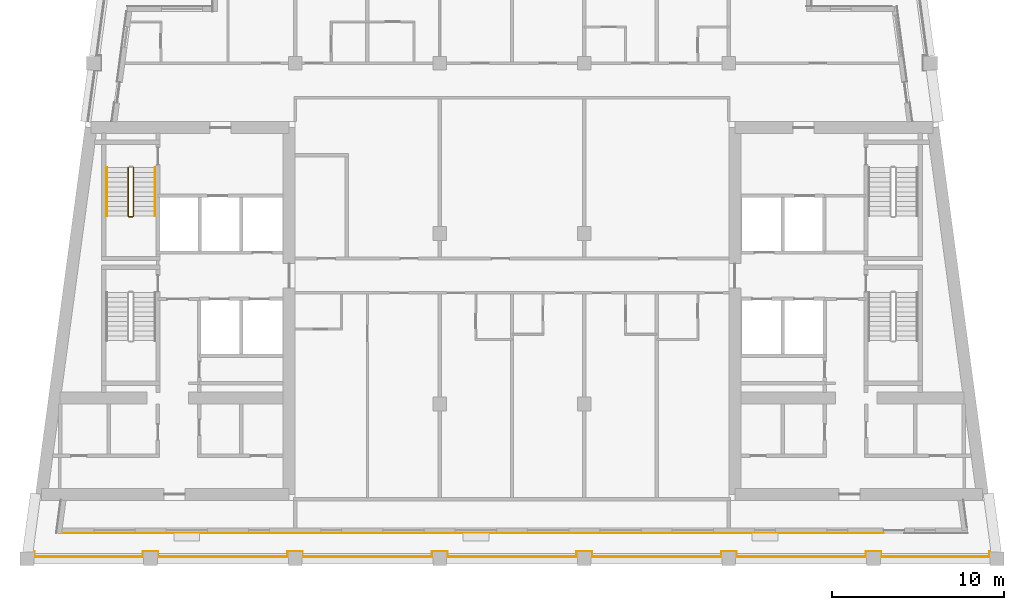
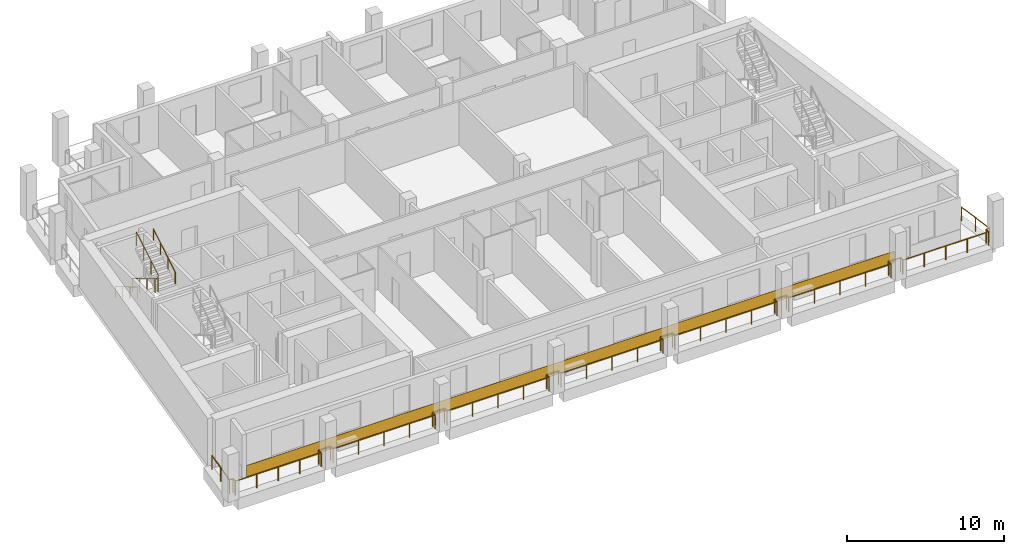
# One storey, part 9 of 14: 4 railings, 1 covering.
"""IFC4 building model written with IfcOpenShell, lengths in metres."""

from ifc_helpers import new_model, si_unit, direction, frame, origin, origin_2d, place, context, subcontext, project, spatial, rectangle, circle, extrude, material, layer, layer_set, type_object, element, save


model = new_model("IFC4")

# Units and contexts
model_context = context("Model", 3, precision=1e-05, world=origin(), true_north=direction((0.0, 1.0)))
body_context = subcontext(model_context, "Body", "Model", "MODEL_VIEW")
ifc_project = project(units=[si_unit("LENGTHUNIT", "METRE"), si_unit("AREAUNIT", "SQUARE_METRE"), si_unit("VOLUMEUNIT", "CUBIC_METRE"), si_unit("PLANEANGLEUNIT", "RADIAN"), si_unit("MASSUNIT", "GRAM", prefix="KILO")], contexts=[model_context])

# Site, building, storey
site_placement = place(None, origin())
site = spatial("IfcSite", under=ifc_project, at=site_placement, CompositionType="ELEMENT")
building_placement = place(site_placement, origin())
building = spatial("IfcBuilding", under=site, at=building_placement, Name="Candeia Pilgrim Tower and Theatre", CompositionType="ELEMENT")
storey_placement = place(building_placement, frame((0.0, 0.0, 273.800048828125)))
storey = spatial("IfcBuildingStorey", under=building, at=storey_placement, Name="L66", CompositionType="ELEMENT", Elevation=273.800048828125)

# Railing
ifc_material_1 = material(Name="Stainless steel balustrade", Category="steel")
railing_type_1 = type_object("IfcRailingType", Name="G1 loggia guard 1100", PredefinedType="GUARDRAIL", material=ifc_material_1)
railing_1_placement = place(storey_placement, frame((141.016357421875, 110.35009765625, 0.0)))
element("IfcRailing", 1, at=railing_1_placement, inside=storey, type_object=railing_type_1, Name="Guard L66.3", PredefinedType="GUARDRAIL", context=body_context, shape_type="SweptSolid", body=[
    extrude(circle(Radius=0.02392578125, at=origin_2d()), frame((0.0, 0.0, 1.076171875), z_axis=(0.133401056725, -0.991062136329, 0.0), x_axis=(0.991062136329, 0.133401056725, 0.0)), (0.0, 0.0, 1.0), 2.946533203125),
    extrude(circle(Radius=0.02392578125, at=origin_2d()), frame((0.39306640625, -2.920166015625, 1.076171875), z_axis=(-1.0, 0.0, 0.0), x_axis=(0.0, -1.0, 0.0)), (0.0, 0.0, 1.0), 0.2509765625),
    extrude(circle(Radius=0.02392578125, at=origin_2d()), frame((0.14208984375, -2.920166015625, 1.076171875), z_axis=(0.0, -1.0, 0.0), x_axis=(1.0, 0.0, 0.0)), (0.0, 0.0, 1.0), 0.309814453125),
    extrude(circle(Radius=0.02392578125, at=origin_2d()), frame((0.14208984375, -3.22998046875, 1.076171875), z_axis=(-1.0, 0.0, 0.0), x_axis=(0.0, -1.0, 0.0)), (0.0, 0.0, 1.0), 6.328369140625),
    extrude(circle(Radius=0.02392578125, at=origin_2d()), frame((-6.186279296875, -3.22998046875, 1.076171875), z_axis=(0.0, 1.0, 0.0), x_axis=(-1.0, 0.0, 0.0)), (0.0, 0.0, 1.0), 0.309814453125),
    extrude(circle(Radius=0.02392578125, at=origin_2d()), frame((-6.186279296875, -2.920166015625, 1.076171875), z_axis=(-1.0, 0.0, 0.0), x_axis=(0.0, -1.0, 0.0)), (0.0, 0.0, 1.0), 0.860107421875),
    extrude(circle(Radius=0.02392578125, at=origin_2d()), frame((-7.04638671875, -2.920166015625, 1.076171875), z_axis=(0.0, -1.0, 0.0), x_axis=(1.0, 0.0, 0.0)), (0.0, 0.0, 1.0), 0.309814453125),
    extrude(circle(Radius=0.02392578125, at=origin_2d()), frame((-7.04638671875, -3.22998046875, 1.076171875), z_axis=(-1.0, 0.0, 0.0), x_axis=(0.0, -1.0, 0.0)), (0.0, 0.0, 1.0), 7.5400390625),
    extrude(circle(Radius=0.02392578125, at=origin_2d()), frame((-14.58642578125, -3.22998046875, 1.076171875), z_axis=(0.0, 1.0, 0.0), x_axis=(-1.0, 0.0, 0.0)), (0.0, 0.0, 1.0), 0.309814453125),
    extrude(circle(Radius=0.02392578125, at=origin_2d()), frame((-14.58642578125, -2.920166015625, 1.076171875), z_axis=(-1.0, 0.0, 0.0), x_axis=(0.0, -1.0, 0.0)), (0.0, 0.0, 1.0), 0.85986328125),
    extrude(circle(Radius=0.02392578125, at=origin_2d()), frame((-15.4462890625, -2.920166015625, 1.076171875), z_axis=(0.0, -1.0, 0.0), x_axis=(1.0, 0.0, 0.0)), (0.0, 0.0, 1.0), 0.309814453125),
    extrude(circle(Radius=0.02392578125, at=origin_2d()), frame((-15.4462890625, -3.22998046875, 1.076171875), z_axis=(-1.0, 0.0, 0.0), x_axis=(0.0, -1.0, 0.0)), (0.0, 0.0, 1.0), 7.5400390625),
    extrude(circle(Radius=0.02392578125, at=origin_2d()), frame((-22.986328125, -3.22998046875, 1.076171875), z_axis=(0.0, 1.0, 0.0), x_axis=(-1.0, 0.0, 0.0)), (0.0, 0.0, 1.0), 0.309814453125),
    extrude(circle(Radius=0.02392578125, at=origin_2d()), frame((-22.986328125, -2.920166015625, 1.076171875), z_axis=(-1.0, 0.0, 0.0), x_axis=(0.0, -1.0, 0.0)), (0.0, 0.0, 1.0), 0.860107421875),
    extrude(circle(Radius=0.02392578125, at=origin_2d()), frame((-23.846435546875, -2.920166015625, 1.076171875), z_axis=(0.0, -1.0, 0.0), x_axis=(1.0, 0.0, 0.0)), (0.0, 0.0, 1.0), 0.309814453125),
    extrude(circle(Radius=0.02392578125, at=origin_2d()), frame((-23.846435546875, -3.22998046875, 1.076171875), z_axis=(-1.0, 0.0, 0.0), x_axis=(0.0, -1.0, 0.0)), (0.0, 0.0, 1.0), 7.5400390625),
    extrude(circle(Radius=0.02392578125, at=origin_2d()), frame((-31.386474609375, -3.22998046875, 1.076171875), z_axis=(0.0, 1.0, 0.0), x_axis=(-1.0, 0.0, 0.0)), (0.0, 0.0, 1.0), 0.309814453125),
    extrude(circle(Radius=0.02392578125, at=origin_2d()), frame((-31.386474609375, -2.920166015625, 1.076171875), z_axis=(-1.0, 0.0, 0.0), x_axis=(0.0, -1.0, 0.0)), (0.0, 0.0, 1.0), 0.85986328125),
    extrude(circle(Radius=0.02392578125, at=origin_2d()), frame((-32.246337890625, -2.920166015625, 1.076171875), z_axis=(0.0, -1.0, 0.0), x_axis=(1.0, 0.0, 0.0)), (0.0, 0.0, 1.0), 0.309814453125),
    extrude(circle(Radius=0.02392578125, at=origin_2d()), frame((-32.246337890625, -3.22998046875, 1.076171875), z_axis=(-1.0, 0.0, 0.0), x_axis=(0.0, -1.0, 0.0)), (0.0, 0.0, 1.0), 7.5400390625),
    extrude(circle(Radius=0.02392578125, at=origin_2d()), frame((-39.786376953125, -3.22998046875, 1.076171875), z_axis=(0.0, 1.0, 0.0), x_axis=(-1.0, 0.0, 0.0)), (0.0, 0.0, 1.0), 0.309814453125),
    extrude(circle(Radius=0.02392578125, at=origin_2d()), frame((-39.786376953125, -2.920166015625, 1.076171875), z_axis=(-1.0, 0.0, 0.0), x_axis=(0.0, -1.0, 0.0)), (0.0, 0.0, 1.0), 0.85986328125),
    extrude(circle(Radius=0.02392578125, at=origin_2d()), frame((-40.646240234375, -2.920166015625, 1.076171875), z_axis=(0.0, -1.0, 0.0), x_axis=(1.0, 0.0, 0.0)), (0.0, 0.0, 1.0), 0.309814453125),
    extrude(circle(Radius=0.02392578125, at=origin_2d()), frame((-40.646240234375, -3.22998046875, 1.076171875), z_axis=(-1.0, 0.0, 0.0), x_axis=(0.0, -1.0, 0.0)), (0.0, 0.0, 1.0), 7.5400390625),
    extrude(circle(Radius=0.02392578125, at=origin_2d()), frame((-48.186279296875, -3.22998046875, 1.076171875), z_axis=(0.0, 1.0, 0.0), x_axis=(-1.0, 0.0, 0.0)), (0.0, 0.0, 1.0), 0.309814453125),
    extrude(circle(Radius=0.02392578125, at=origin_2d()), frame((-48.186279296875, -2.920166015625, 1.076171875), z_axis=(-1.0, 0.0, 0.0), x_axis=(0.0, -1.0, 0.0)), (0.0, 0.0, 1.0), 0.860107421875),
    extrude(circle(Radius=0.02392578125, at=origin_2d()), frame((-49.04638671875, -2.920166015625, 1.076171875), z_axis=(0.0, -1.0, 0.0), x_axis=(1.0, 0.0, 0.0)), (0.0, 0.0, 1.0), 0.309814453125),
    extrude(circle(Radius=0.02392578125, at=origin_2d()), frame((-49.04638671875, -3.22998046875, 1.076171875), z_axis=(-1.0, 0.0, 0.0), x_axis=(0.0, -1.0, 0.0)), (0.0, 0.0, 1.0), 6.328369140625),
    extrude(circle(Radius=0.02392578125, at=origin_2d()), frame((-55.374755859375, -3.22998046875, 1.076171875), z_axis=(0.0, 1.0, 0.0), x_axis=(-1.0, 0.0, 0.0)), (0.0, 0.0, 1.0), 0.309814453125),
    extrude(circle(Radius=0.02392578125, at=origin_2d()), frame((-55.374755859375, -2.920166015625, 1.076171875), z_axis=(-1.0, 0.0, 0.0), x_axis=(0.0, -1.0, 0.0)), (0.0, 0.0, 1.0), 0.2509765625),
    extrude(circle(Radius=0.02392578125, at=origin_2d()), frame((-55.625732421875, -2.920166015625, 1.076171875), z_axis=(0.133401056725, 0.991062136329, 0.0), x_axis=(-0.991062136329, 0.133401056725, 0.0)), (0.0, 0.0, 1.0), 2.946533203125),
    extrude(circle(Radius=0.02099609375, at=origin_2d()), origin(), (0.0, 0.0, 1.0), 1.052001953125),
    extrude(circle(Radius=0.02099609375, at=origin_2d()), frame((0.196533203125, -1.4599609375, 0.0)), (0.0, 0.0, 1.0), 1.052001953125),
    extrude(circle(Radius=0.02099609375, at=origin_2d()), frame((0.39306640625, -2.920166015625, 0.0)), (0.0, 0.0, 1.0), 1.052001953125),
    extrude(circle(Radius=0.02099609375, at=origin_2d()), frame((0.14208984375, -2.920166015625, 0.0)), (0.0, 0.0, 1.0), 1.052001953125),
    extrude(circle(Radius=0.02099609375, at=origin_2d()), frame((0.14208984375, -3.22998046875, 0.0)), (0.0, 0.0, 1.0), 1.052001953125),
    extrude(circle(Radius=0.02099609375, at=origin_2d()), frame((-1.43994140625, -3.22998046875, 0.0)), (0.0, 0.0, 1.0), 1.052001953125),
    extrude(circle(Radius=0.02099609375, at=origin_2d()), frame((-3.02197265625, -3.22998046875, 0.0)), (0.0, 0.0, 1.0), 1.052001953125),
    extrude(circle(Radius=0.02099609375, at=origin_2d()), frame((-4.604248046875, -3.22998046875, 0.0)), (0.0, 0.0, 1.0), 1.052001953125),
    extrude(circle(Radius=0.02099609375, at=origin_2d()), frame((-6.186279296875, -3.22998046875, 0.0)), (0.0, 0.0, 1.0), 1.052001953125),
    extrude(circle(Radius=0.02099609375, at=origin_2d()), frame((-6.186279296875, -2.920166015625, 0.0)), (0.0, 0.0, 1.0), 1.052001953125),
    extrude(circle(Radius=0.02099609375, at=origin_2d()), frame((-7.04638671875, -2.920166015625, 0.0)), (0.0, 0.0, 1.0), 1.052001953125),
    extrude(circle(Radius=0.02099609375, at=origin_2d()), frame((-7.04638671875, -3.22998046875, 0.0)), (0.0, 0.0, 1.0), 1.052001953125),
    extrude(circle(Radius=0.02099609375, at=origin_2d()), frame((-8.931396484375, -3.22998046875, 0.0)), (0.0, 0.0, 1.0), 1.052001953125),
    extrude(circle(Radius=0.02099609375, at=origin_2d()), frame((-10.81640625, -3.22998046875, 0.0)), (0.0, 0.0, 1.0), 1.052001953125),
    extrude(circle(Radius=0.02099609375, at=origin_2d()), frame((-12.701416015625, -3.22998046875, 0.0)), (0.0, 0.0, 1.0), 1.052001953125),
    extrude(circle(Radius=0.02099609375, at=origin_2d()), frame((-14.58642578125, -3.22998046875, 0.0)), (0.0, 0.0, 1.0), 1.052001953125),
    extrude(circle(Radius=0.02099609375, at=origin_2d()), frame((-14.58642578125, -2.920166015625, 0.0)), (0.0, 0.0, 1.0), 1.052001953125),
    extrude(circle(Radius=0.02099609375, at=origin_2d()), frame((-15.4462890625, -2.920166015625, 0.0)), (0.0, 0.0, 1.0), 1.052001953125),
    extrude(circle(Radius=0.02099609375, at=origin_2d()), frame((-15.4462890625, -3.22998046875, 0.0)), (0.0, 0.0, 1.0), 1.052001953125),
    extrude(circle(Radius=0.02099609375, at=origin_2d()), frame((-17.331298828125, -3.22998046875, 0.0)), (0.0, 0.0, 1.0), 1.052001953125),
    extrude(circle(Radius=0.02099609375, at=origin_2d()), frame((-19.21630859375, -3.22998046875, 0.0)), (0.0, 0.0, 1.0), 1.052001953125),
    extrude(circle(Radius=0.02099609375, at=origin_2d()), frame((-21.101318359375, -3.22998046875, 0.0)), (0.0, 0.0, 1.0), 1.052001953125),
    extrude(circle(Radius=0.02099609375, at=origin_2d()), frame((-22.986328125, -3.22998046875, 0.0)), (0.0, 0.0, 1.0), 1.052001953125),
    extrude(circle(Radius=0.02099609375, at=origin_2d()), frame((-22.986328125, -2.920166015625, 0.0)), (0.0, 0.0, 1.0), 1.052001953125),
    extrude(circle(Radius=0.02099609375, at=origin_2d()), frame((-23.846435546875, -2.920166015625, 0.0)), (0.0, 0.0, 1.0), 1.052001953125),
    extrude(circle(Radius=0.02099609375, at=origin_2d()), frame((-23.846435546875, -3.22998046875, 0.0)), (0.0, 0.0, 1.0), 1.052001953125),
    extrude(circle(Radius=0.02099609375, at=origin_2d()), frame((-25.7314453125, -3.22998046875, 0.0)), (0.0, 0.0, 1.0), 1.052001953125),
    extrude(circle(Radius=0.02099609375, at=origin_2d()), frame((-27.616455078125, -3.22998046875, 0.0)), (0.0, 0.0, 1.0), 1.052001953125),
    extrude(circle(Radius=0.02099609375, at=origin_2d()), frame((-29.50146484375, -3.22998046875, 0.0)), (0.0, 0.0, 1.0), 1.052001953125),
    extrude(circle(Radius=0.02099609375, at=origin_2d()), frame((-31.386474609375, -3.22998046875, 0.0)), (0.0, 0.0, 1.0), 1.052001953125),
    extrude(circle(Radius=0.02099609375, at=origin_2d()), frame((-31.386474609375, -2.920166015625, 0.0)), (0.0, 0.0, 1.0), 1.052001953125),
    extrude(circle(Radius=0.02099609375, at=origin_2d()), frame((-32.246337890625, -2.920166015625, 0.0)), (0.0, 0.0, 1.0), 1.052001953125),
    extrude(circle(Radius=0.02099609375, at=origin_2d()), frame((-32.246337890625, -3.22998046875, 0.0)), (0.0, 0.0, 1.0), 1.052001953125),
    extrude(circle(Radius=0.02099609375, at=origin_2d()), frame((-34.13134765625, -3.22998046875, 0.0)), (0.0, 0.0, 1.0), 1.052001953125),
    extrude(circle(Radius=0.02099609375, at=origin_2d()), frame((-36.016357421875, -3.22998046875, 0.0)), (0.0, 0.0, 1.0), 1.052001953125),
    extrude(circle(Radius=0.02099609375, at=origin_2d()), frame((-37.9013671875, -3.22998046875, 0.0)), (0.0, 0.0, 1.0), 1.052001953125),
    extrude(circle(Radius=0.02099609375, at=origin_2d()), frame((-39.786376953125, -3.22998046875, 0.0)), (0.0, 0.0, 1.0), 1.052001953125),
    extrude(circle(Radius=0.02099609375, at=origin_2d()), frame((-39.786376953125, -2.920166015625, 0.0)), (0.0, 0.0, 1.0), 1.052001953125),
    extrude(circle(Radius=0.02099609375, at=origin_2d()), frame((-40.646240234375, -2.920166015625, 0.0)), (0.0, 0.0, 1.0), 1.052001953125),
    extrude(circle(Radius=0.02099609375, at=origin_2d()), frame((-40.646240234375, -3.22998046875, 0.0)), (0.0, 0.0, 1.0), 1.052001953125),
    extrude(circle(Radius=0.02099609375, at=origin_2d()), frame((-42.53125, -3.22998046875, 0.0)), (0.0, 0.0, 1.0), 1.052001953125),
    extrude(circle(Radius=0.02099609375, at=origin_2d()), frame((-44.416259765625, -3.22998046875, 0.0)), (0.0, 0.0, 1.0), 1.052001953125),
    extrude(circle(Radius=0.02099609375, at=origin_2d()), frame((-46.30126953125, -3.22998046875, 0.0)), (0.0, 0.0, 1.0), 1.052001953125),
    extrude(circle(Radius=0.02099609375, at=origin_2d()), frame((-48.186279296875, -3.22998046875, 0.0)), (0.0, 0.0, 1.0), 1.052001953125),
    extrude(circle(Radius=0.02099609375, at=origin_2d()), frame((-48.186279296875, -2.920166015625, 0.0)), (0.0, 0.0, 1.0), 1.052001953125),
    extrude(circle(Radius=0.02099609375, at=origin_2d()), frame((-49.04638671875, -2.920166015625, 0.0)), (0.0, 0.0, 1.0), 1.052001953125),
    extrude(circle(Radius=0.02099609375, at=origin_2d()), frame((-49.04638671875, -3.22998046875, 0.0)), (0.0, 0.0, 1.0), 1.052001953125),
    extrude(circle(Radius=0.02099609375, at=origin_2d()), frame((-50.62841796875, -3.22998046875, 0.0)), (0.0, 0.0, 1.0), 1.052001953125),
    extrude(circle(Radius=0.02099609375, at=origin_2d()), frame((-52.21044921875, -3.22998046875, 0.0)), (0.0, 0.0, 1.0), 1.052001953125),
    extrude(circle(Radius=0.02099609375, at=origin_2d()), frame((-53.792724609375, -3.22998046875, 0.0)), (0.0, 0.0, 1.0), 1.052001953125),
    extrude(circle(Radius=0.02099609375, at=origin_2d()), frame((-55.374755859375, -3.22998046875, 0.0)), (0.0, 0.0, 1.0), 1.052001953125),
    extrude(circle(Radius=0.02099609375, at=origin_2d()), frame((-55.374755859375, -2.920166015625, 0.0)), (0.0, 0.0, 1.0), 1.052001953125),
    extrude(circle(Radius=0.02099609375, at=origin_2d()), frame((-55.625732421875, -2.920166015625, 0.0)), (0.0, 0.0, 1.0), 1.052001953125),
    extrude(circle(Radius=0.02099609375, at=origin_2d()), frame((-55.42919921875, -1.4599609375, 0.0)), (0.0, 0.0, 1.0), 1.052001953125),
    extrude(circle(Radius=0.02099609375, at=origin_2d()), frame((-55.232666015625, 0.0, 0.0)), (0.0, 0.0, 1.0), 1.052001953125),
])

# Covering
ifc_material_2 = material(Name="Glazed ceramic tile bottle green")
ifc_layer = layer(ifc_material_2, 0.02001953125)
ifc_layer_set = layer_set([ifc_layer], Name="Glazed ceramic tile bottle green")
covering_type = type_object("IfcCoveringType", Name="Glazed ceramic tile bottle green", PredefinedType="CLADDING", material=ifc_layer_set)
covering_placement = place(storey_placement, frame((111.13427734375, 108.489990234375, 0.0), z_axis=(0.0, 0.0, 1.0), x_axis=(1.0, 0.0, 0.0)))
element("IfcCovering", 2, at=covering_placement, inside=storey, type_object=covering_type, Name="Tile cladding bottle green L66", PredefinedType="CLADDING", context=body_context, shape_type="SweptSolid", body=[
    extrude(rectangle(XDim=47.7314453125, YDim=0.02001953125, at=origin_2d()), origin(), (0.0, 0.0, 1.0), 0.89990234375),
])

# Railings
railing_type_2 = type_object("IfcRailingType", Name="RL-GUARD-1100", PredefinedType="GUARDRAIL", material=ifc_material_1)
railing_2_placement = place(storey_placement, frame((91.10205078125, 129.72509765625, 0.168212890625)))
element("IfcRailing", 3, at=railing_2_placement, inside=storey, type_object=railing_type_2, Name="L66 ST2 stair guard 1", PredefinedType="GUARDRAIL", context=body_context, shape_type="SweptSolid", body=[
    extrude(circle(Radius=0.02392578125, at=origin_2d()), frame((0.0, 0.0, 1.076171875), z_axis=(0.0, -0.857275202839, 0.514858452973), x_axis=(1.0, 0.0, 0.0)), (0.0, 0.0, 1.0), 3.26611328125),
    extrude(circle(Radius=0.02392578125, at=origin_2d()), frame((0.0, -2.800048828125, 2.7578125), z_axis=(0.707106781187, -0.707106781187, 0.0), x_axis=(0.707106781187, 0.707106781187, 0.0)), (0.0, 0.0, 1.0), 0.07080078125),
    extrude(circle(Radius=0.02392578125, at=origin_2d()), frame((0.050048828125, -2.85009765625, 2.7578125), z_axis=(1.0, 0.0, 0.0), x_axis=(0.0, 1.0, 0.0)), (0.0, 0.0, 1.0), 0.199951171875),
    extrude(circle(Radius=0.02392578125, at=origin_2d()), frame((0.25, -2.85009765625, 2.7578125), z_axis=(0.274243871929, 0.274243871929, 0.92172696468), x_axis=(-0.707106781187, 0.707106781187, 0.0)), (0.0, 0.0, 1.0), 0.1826171875),
    extrude(circle(Radius=0.02392578125, at=origin_2d()), frame((0.300048828125, -2.800048828125, 2.92578125), z_axis=(0.0, 0.857242210791, 0.514913383045), x_axis=(-1.0, 0.0, 0.0)), (0.0, 0.0, 1.0), 3.266357421875),
    extrude(circle(Radius=0.02099609375, at=origin_2d()), origin(), (0.0, 0.0, 1.0), 1.052001953125),
    extrude(circle(Radius=0.02099609375, at=origin_2d()), frame((0.0, -0.933349609375, 0.560546875)), (0.0, 0.0, 1.0), 1.052001953125),
    extrude(circle(Radius=0.02099609375, at=origin_2d()), frame((0.0, -1.86669921875, 1.12109375)), (0.0, 0.0, 1.0), 1.052001953125),
    extrude(circle(Radius=0.02099609375, at=origin_2d()), frame((0.0, -2.800048828125, 1.681640625)), (0.0, 0.0, 1.0), 1.052001953125),
    extrude(circle(Radius=0.02099609375, at=origin_2d()), frame((0.050048828125, -2.85009765625, 1.681640625)), (0.0, 0.0, 1.0), 1.052001953125),
    extrude(circle(Radius=0.02099609375, at=origin_2d()), frame((0.25, -2.85009765625, 1.681640625)), (0.0, 0.0, 1.0), 1.052001953125),
    extrude(circle(Radius=0.02099609375, at=origin_2d()), frame((0.300048828125, -2.800048828125, 1.849853515625)), (0.0, 0.0, 1.0), 1.052001953125),
    extrude(circle(Radius=0.02099609375, at=origin_2d()), frame((0.300048828125, -1.86669921875, 2.410400390625)), (0.0, 0.0, 1.0), 1.052001953125),
    extrude(circle(Radius=0.02099609375, at=origin_2d()), frame((0.300048828125, -0.933349609375, 2.97119140625)), (0.0, 0.0, 1.0), 1.052001953125),
    extrude(circle(Radius=0.02099609375, at=origin_2d()), frame((0.300048828125, 0.0, 3.53173828125)), (0.0, 0.0, 1.0), 1.052001953125),
])
ifc_material_3 = material(Name="Stainless steel handrail", Category="steel")
railing_type_3 = type_object("IfcRailingType", Name="RL-HANDRAIL-900", PredefinedType="HANDRAIL", material=ifc_material_3)
railing_3_placement = place(storey_placement, frame((89.85205078125, 129.72509765625, 0.168212890625)))
element("IfcRailing", 4, at=railing_3_placement, inside=storey, type_object=railing_type_3, Name="L66 ST2 stair handrail 1", PredefinedType="HANDRAIL", context=body_context, shape_type="SweptSolid", body=[
    extrude(circle(Radius=0.02392578125, at=origin_2d()), frame((0.0, 0.0, 0.8759765625), z_axis=(0.0, -0.857275202839, 0.514858452973), x_axis=(1.0, 0.0, 0.0)), (0.0, 0.0, 1.0), 3.26611328125),
    extrude(circle(Radius=0.02099609375, at=origin_2d()), origin(), (0.0, 0.0, 1.0), 0.851806640625),
    extrude(circle(Radius=0.02099609375, at=origin_2d()), frame((0.0, -0.933349609375, 0.560546875)), (0.0, 0.0, 1.0), 0.851806640625),
    extrude(circle(Radius=0.02099609375, at=origin_2d()), frame((0.0, -1.86669921875, 1.12109375)), (0.0, 0.0, 1.0), 0.851806640625),
    extrude(circle(Radius=0.02099609375, at=origin_2d()), frame((0.0, -2.800048828125, 1.681640625)), (0.0, 0.0, 1.0), 0.851806640625),
])
railing_4_placement = place(storey_placement, frame((92.652099609375, 126.925048828125, 2.01806640625)))
element("IfcRailing", 5, at=railing_4_placement, inside=storey, type_object=railing_type_3, Name="L66 ST2 stair handrail 2", PredefinedType="HANDRAIL", context=body_context, shape_type="SweptSolid", body=[
    extrude(circle(Radius=0.02392578125, at=origin_2d()), frame((0.0, 0.0, 0.8759765625), z_axis=(0.0, 0.857242210791, 0.514913383045), x_axis=(-1.0, 0.0, 0.0)), (0.0, 0.0, 1.0), 3.266357421875),
    extrude(circle(Radius=0.02099609375, at=origin_2d()), origin(), (0.0, 0.0, 1.0), 0.851806640625),
    extrude(circle(Radius=0.02099609375, at=origin_2d()), frame((0.0, 0.933349609375, 0.560546875)), (0.0, 0.0, 1.0), 0.851806640625),
    extrude(circle(Radius=0.02099609375, at=origin_2d()), frame((0.0, 1.86669921875, 1.121337890625)), (0.0, 0.0, 1.0), 0.851806640625),
    extrude(circle(Radius=0.02099609375, at=origin_2d()), frame((0.0, 2.800048828125, 1.681884765625)), (0.0, 0.0, 1.0), 0.851806640625),
])

save(model, "model.ifc")
